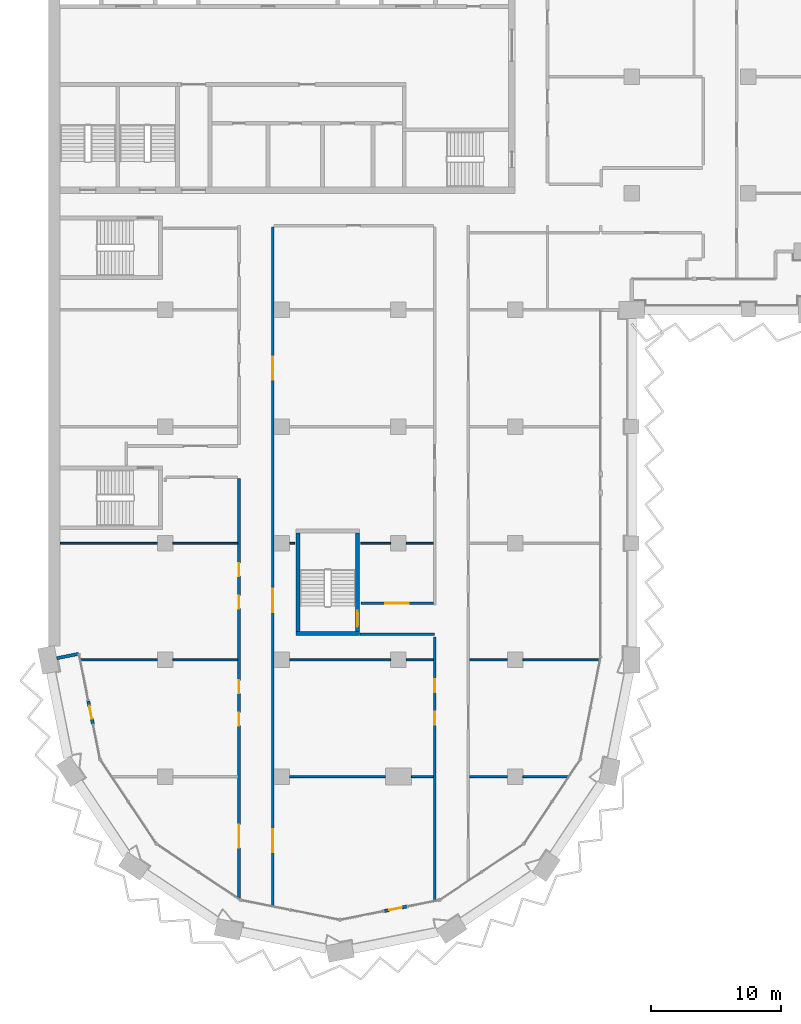
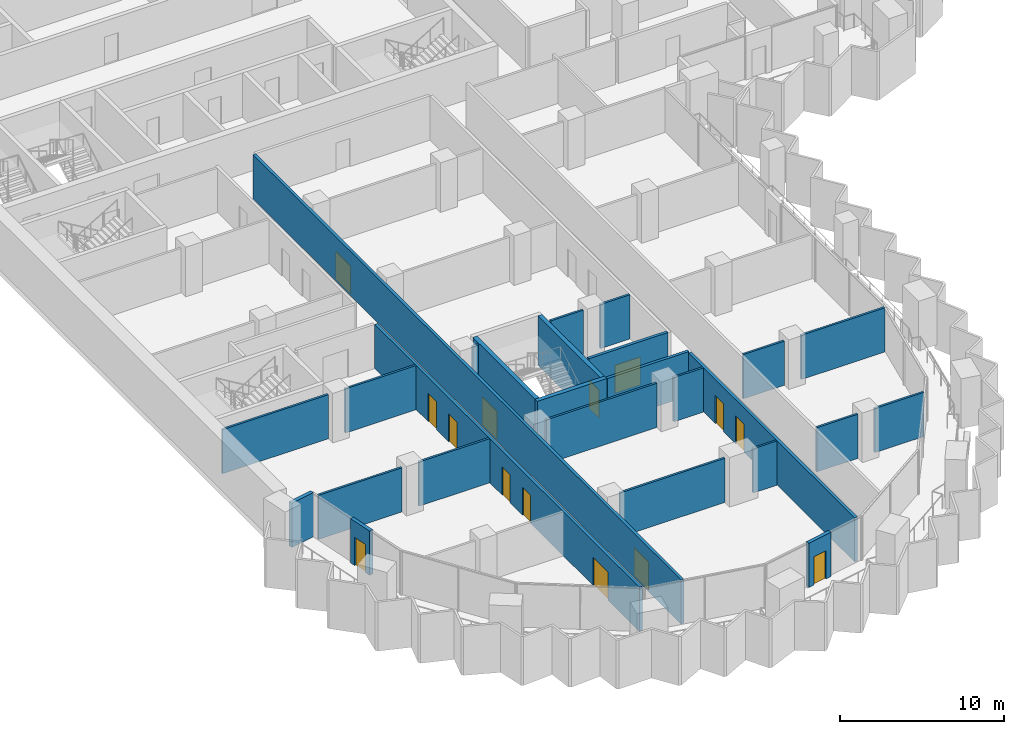
# One storey, part 8 of 22: 26 walls, 14 doors, 14 openings.
"""IFC4 building model written with IfcOpenShell, lengths in metres."""

from ifc_helpers import new_model, si_unit, direction, frame, frame_2d, origin, place, context, subcontext, project, spatial, rectangle, extrude, material, layer, layer_set, type_object, element, fill, save


model = new_model("IFC4")

# Units and contexts
model_context = context("Model", 3, precision=1e-05, world=origin(), true_north=direction((0.0, 1.0)))
body_context = subcontext(model_context, "Body", "Model", "MODEL_VIEW")
ifc_project = project(units=[si_unit("LENGTHUNIT", "METRE"), si_unit("AREAUNIT", "SQUARE_METRE"), si_unit("VOLUMEUNIT", "CUBIC_METRE"), si_unit("PLANEANGLEUNIT", "RADIAN"), si_unit("MASSUNIT", "GRAM", prefix="KILO")], contexts=[model_context])

# Site, building, storey
site_placement = place(None, origin())
site = spatial("IfcSite", under=ifc_project, at=site_placement, CompositionType="ELEMENT")
building_placement = place(site_placement, origin())
building = spatial("IfcBuilding", under=site, at=building_placement, Name="Hunhe Ridgeline Campus", CompositionType="ELEMENT")
storey_placement = place(building_placement, frame((0.0, 0.0, 156.0)))
storey = spatial("IfcBuildingStorey", under=building, at=storey_placement, Name="L39", CompositionType="ELEMENT", Elevation=156.0)

# Walls
ifc_material_1 = material(Name="Concrete C30", Category="concrete")
ifc_layer_1 = layer(ifc_material_1, 0.25)
ifc_layer_set_1 = layer_set([ifc_layer_1], Name="Corner return wall 250 Concrete C30")
wall_type_1 = type_object("IfcWallType", Name="Corner return wall 250 Concrete C30", PredefinedType="SOLIDWALL", material=ifc_layer_set_1)
wall_1_placement = place(storey_placement, frame((0.637451171875, 27.127685546875, 0.0), z_axis=(0.0, 0.0, 1.0), x_axis=(0.980842591884, 0.194801976239, 0.0)))
element("IfcWall", 1, at=wall_1_placement, inside=storey, type_object=wall_type_1, Name="Corner return wall 1", PredefinedType="SOLIDWALL", context=body_context, shape_type="SweptSolid", body=[
    extrude(rectangle(XDim=1.750732421875, YDim=0.25, at=frame_2d((0.87548828125, 0.0))), origin(), (0.0, 0.0, 1.0), 3.300048828125),
])
ifc_material_2 = material(Name="Gypsum board partition")
ifc_layer_2 = layer(ifc_material_2, 0.199951171875)
ifc_layer_set_2 = layer_set([ifc_layer_2], Name="Corridor partition 200 gypsum board on steel studs")
wall_type_2 = type_object("IfcWallType", Name="Corridor partition 200 gypsum board on steel studs", PredefinedType="PARTITIONING", material=ifc_layer_set_2)
wall_2_placement = place(storey_placement, frame((29.800048828125, 28.97509765625, 0.0), z_axis=(0.0, 0.0, 1.0), x_axis=(-1.0, 0.0, 0.0)))
element("IfcWall", 2, at=wall_2_placement, inside=storey, type_object=wall_type_2, Name="F-L39-wall-013", PredefinedType="PARTITIONING", context=body_context, shape_type="SweptSolid", body=[
    extrude(rectangle(XDim=5.77001953125, YDim=0.199951171875, at=frame_2d((2.885009765625, 0.0))), origin(), (0.0, 0.0, 1.0), 3.300048828125),
])

# Wall, opening, door
wall_3_placement = place(storey_placement, frame((24.10400390625, 31.375, 0.0), z_axis=(0.0, 0.0, 1.0), x_axis=(1.0, 0.0, 0.0)))
wall_3 = element("IfcWall", 3, at=wall_3_placement, inside=storey, type_object=wall_type_2, Name="F-L39-wall-014", PredefinedType="PARTITIONING", context=body_context, shape_type="SweptSolid", body=[
    extrude(rectangle(XDim=5.595947265625, YDim=0.199951171875, at=frame_2d((2.7978515625, 0.0))), origin(), (0.0, 0.0, 1.0), 3.300048828125),
])
opening_1_placement = place(wall_3_placement, frame((1.89794921875, 0.0, 0.0)))
opening_1 = element("IfcOpeningElement", 4, at=opening_1_placement, cuts=wall_3, Name="Opening RD2-009", PredefinedType="OPENING", context=body_context, shape_type="SweptSolid", body=[
    extrude(rectangle(XDim=1.800048828125, YDim=2.10009765625, at=frame_2d((0.89990234375, 1.050048828125))), frame((0.0, 0.10009765625, 0.0), z_axis=(0.0, -1.0, 0.0), x_axis=(1.0, 0.0, 0.0)), (0.0, 0.0, 1.0), 0.199951171875),
])
ifc_material_3 = material(Name="Timber door leaf", Category="wood")
door_type_1 = type_object("IfcDoorType", Name="Double fire door 1800x2100 timber FD60", OperationType="DOUBLE_DOOR_SINGLE_SWING", PredefinedType="DOOR", material=ifc_material_3)
door_1_placement = place(opening_1_placement, origin())
door_1 = element("IfcDoor", 5, at=door_1_placement, inside=storey, type_object=door_type_1, Name="F-L39-door-009", OperationType="DOUBLE_DOOR_SINGLE_SWING", OverallHeight=2.10009765625, OverallWidth=1.800048828125, PredefinedType="DOOR", context=body_context, shape_type="SweptSolid", body=[
    extrude(rectangle(XDim=1.800048828125, YDim=2.10009765625, at=frame_2d((0.89990234375, 1.050048828125))), frame((0.0, 0.02490234375, 0.0), z_axis=(0.0, -1.0, 0.0), x_axis=(1.0, 0.0, 0.0)), (0.0, 0.0, 1.0), 0.050048828125),
])
fill(opening_1, door_1)

# Wall, openings, doors
wall_4_placement = place(storey_placement, frame((14.699951171875, 8.623779296875, 0.0), z_axis=(0.0, 0.0, 1.0), x_axis=(0.0, 1.0, 0.0)))
wall_4 = element("IfcWall", 6, at=wall_4_placement, inside=storey, type_object=wall_type_2, Name="F-L39-wall-057", PredefinedType="PARTITIONING", context=body_context, shape_type="SweptSolid", body=[
    extrude(rectangle(XDim=32.376220703125, YDim=0.199951171875, at=frame_2d((16.18798828125, 0.0))), origin(), (0.0, 0.0, 1.0), 3.300048828125),
])
opening_2_placement = place(wall_4_placement, frame((3.86865234375, 0.0, 0.0)))
opening_2 = element("IfcOpeningElement", 7, at=opening_2_placement, cuts=wall_4, Name="Opening RD2-002", PredefinedType="OPENING", context=body_context, shape_type="SweptSolid", body=[
    extrude(rectangle(XDim=1.800048828125, YDim=2.10009765625, at=frame_2d((0.89990234375, 1.050048828125))), frame((0.0, 0.10009765625, 0.0), z_axis=(0.0, -1.0, 0.0), x_axis=(1.0, 0.0, 0.0)), (0.0, 0.0, 1.0), 0.199951171875),
])
opening_3_placement = place(wall_4_placement, frame((13.3037109375, 0.0, 0.0)))
opening_3 = element("IfcOpeningElement", 8, at=opening_3_placement, cuts=wall_4, Name="Opening RD1-004", PredefinedType="OPENING", context=body_context, shape_type="SweptSolid", body=[
    extrude(rectangle(XDim=1.0, YDim=2.10009765625, at=frame_2d((0.5, 1.050048828125))), frame((0.0, 0.10009765625, 0.0), z_axis=(0.0, -1.0, 0.0), x_axis=(1.0, 0.0, 0.0)), (0.0, 0.0, 1.0), 0.199951171875),
])
opening_4_placement = place(wall_4_placement, frame((15.8037109375, 0.0, 0.0)))
opening_4 = element("IfcOpeningElement", 9, at=opening_4_placement, cuts=wall_4, Name="Opening RD1-007", PredefinedType="OPENING", context=body_context, shape_type="SweptSolid", body=[
    extrude(rectangle(XDim=1.0, YDim=2.10009765625, at=frame_2d((0.5, 1.050048828125))), frame((0.0, 0.10009765625, 0.0), z_axis=(0.0, -1.0, 0.0), x_axis=(1.0, 0.0, 0.0)), (0.0, 0.0, 1.0), 0.199951171875),
])
opening_5_placement = place(wall_4_placement, frame((22.339111328125, 0.0, 0.0)))
opening_5 = element("IfcOpeningElement", 10, at=opening_5_placement, cuts=wall_4, Name="Opening RD1-010", PredefinedType="OPENING", context=body_context, shape_type="SweptSolid", body=[
    extrude(rectangle(XDim=1.0, YDim=2.10009765625, at=frame_2d((0.5, 1.050048828125))), frame((0.0, 0.10009765625, 0.0), z_axis=(0.0, -1.0, 0.0), x_axis=(1.0, 0.0, 0.0)), (0.0, 0.0, 1.0), 0.199951171875),
])
opening_6_placement = place(wall_4_placement, frame((24.839111328125, 0.0, 0.0)))
opening_6 = element("IfcOpeningElement", 11, at=opening_6_placement, cuts=wall_4, Name="Opening RD1-013", PredefinedType="OPENING", context=body_context, shape_type="SweptSolid", body=[
    extrude(rectangle(XDim=1.0, YDim=2.10009765625, at=frame_2d((0.5, 1.050048828125))), frame((0.0, 0.10009765625, 0.0), z_axis=(0.0, -1.0, 0.0), x_axis=(1.0, 0.0, 0.0)), (0.0, 0.0, 1.0), 0.199951171875),
])
door_2_placement = place(opening_2_placement, origin())
door_2 = element("IfcDoor", 12, at=door_2_placement, inside=storey, type_object=door_type_1, Name="F-L39-door-002", OperationType="DOUBLE_DOOR_SINGLE_SWING", OverallHeight=2.10009765625, OverallWidth=1.800048828125, PredefinedType="DOOR", context=body_context, shape_type="SweptSolid", body=[
    extrude(rectangle(XDim=1.800048828125, YDim=2.10009765625, at=frame_2d((0.89990234375, 1.050048828125))), frame((0.0, 0.02490234375, 0.0), z_axis=(0.0, -1.0, 0.0), x_axis=(1.0, 0.0, 0.0)), (0.0, 0.0, 1.0), 0.050048828125),
])
fill(opening_2, door_2)
door_type_2 = type_object("IfcDoorType", Name="Single fire door 1000x2100 timber FD60", OperationType="NOTDEFINED", PredefinedType="DOOR", material=ifc_material_3)
door_3_placement = place(opening_3_placement, frame((1.0, 0.0, 0.0), z_axis=(0.0, 0.0, 1.0), x_axis=(-1.0, 0.0, 0.0)))
door_3 = element("IfcDoor", 13, at=door_3_placement, inside=storey, type_object=door_type_2, Name="F-L39-door-004", OperationType="SINGLE_SWING_LEFT", OverallHeight=2.10009765625, OverallWidth=1.0, PredefinedType="DOOR", context=body_context, shape_type="SweptSolid", body=[
    extrude(rectangle(XDim=1.0, YDim=2.10009765625, at=frame_2d((0.5, 1.050048828125))), frame((0.0, 0.02490234375, 0.0), z_axis=(0.0, -1.0, 0.0), x_axis=(1.0, 0.0, 0.0)), (0.0, 0.0, 1.0), 0.050048828125),
])
fill(opening_3, door_3)
door_4_placement = place(opening_4_placement, frame((1.0, 0.0, 0.0), z_axis=(0.0, 0.0, 1.0), x_axis=(-1.0, 0.0, 0.0)))
door_4 = element("IfcDoor", 14, at=door_4_placement, inside=storey, type_object=door_type_2, Name="F-L39-door-007", OperationType="SINGLE_SWING_LEFT", OverallHeight=2.10009765625, OverallWidth=1.0, PredefinedType="DOOR", context=body_context, shape_type="SweptSolid", body=[
    extrude(rectangle(XDim=1.0, YDim=2.10009765625, at=frame_2d((0.5, 1.050048828125))), frame((0.0, 0.02490234375, 0.0), z_axis=(0.0, -1.0, 0.0), x_axis=(1.0, 0.0, 0.0)), (0.0, 0.0, 1.0), 0.050048828125),
])
fill(opening_4, door_4)
door_5_placement = place(opening_5_placement, frame((1.0, 0.0, 0.0), z_axis=(0.0, 0.0, 1.0), x_axis=(-1.0, 0.0, 0.0)))
door_5 = element("IfcDoor", 15, at=door_5_placement, inside=storey, type_object=door_type_2, Name="F-L39-door-010", OperationType="SINGLE_SWING_LEFT", OverallHeight=2.10009765625, OverallWidth=1.0, PredefinedType="DOOR", context=body_context, shape_type="SweptSolid", body=[
    extrude(rectangle(XDim=1.0, YDim=2.10009765625, at=frame_2d((0.5, 1.050048828125))), frame((0.0, 0.02490234375, 0.0), z_axis=(0.0, -1.0, 0.0), x_axis=(1.0, 0.0, 0.0)), (0.0, 0.0, 1.0), 0.050048828125),
])
fill(opening_5, door_5)
door_6_placement = place(opening_6_placement, frame((1.0, 0.0, 0.0), z_axis=(0.0, 0.0, 1.0), x_axis=(-1.0, 0.0, 0.0)))
door_6 = element("IfcDoor", 16, at=door_6_placement, inside=storey, type_object=door_type_2, Name="F-L39-door-013", OperationType="SINGLE_SWING_LEFT", OverallHeight=2.10009765625, OverallWidth=1.0, PredefinedType="DOOR", context=body_context, shape_type="SweptSolid", body=[
    extrude(rectangle(XDim=1.0, YDim=2.10009765625, at=frame_2d((0.5, 1.050048828125))), frame((0.0, 0.02490234375, 0.0), z_axis=(0.0, -1.0, 0.0), x_axis=(1.0, 0.0, 0.0)), (0.0, 0.0, 1.0), 0.050048828125),
])
fill(opening_6, door_6)

wall_5_placement = place(storey_placement, frame((17.300048828125, 60.39990234375, 0.0), z_axis=(0.0, 0.0, 1.0), x_axis=(0.0, -1.0, 0.0)))
wall_5 = element("IfcWall", 17, at=wall_5_placement, inside=storey, type_object=wall_type_2, Name="F-L39-wall-059", PredefinedType="PARTITIONING", context=body_context, shape_type="SweptSolid", body=[
    extrude(rectangle(XDim=52.362548828125, YDim=0.199951171875, at=frame_2d((26.18115234375, 0.0))), origin(), (0.0, 0.0, 1.0), 3.300048828125),
])
opening_7_placement = place(wall_5_placement, frame((46.451904296875, 0.0, 0.0)))
opening_7 = element("IfcOpeningElement", 18, at=opening_7_placement, cuts=wall_5, Name="Opening RD2-001", PredefinedType="OPENING", context=body_context, shape_type="SweptSolid", body=[
    extrude(rectangle(XDim=1.800048828125, YDim=2.10009765625, at=frame_2d((0.89990234375, 1.050048828125))), frame((0.0, 0.10009765625, 0.0), z_axis=(0.0, -1.0, 0.0), x_axis=(1.0, 0.0, 0.0)), (0.0, 0.0, 1.0), 0.199951171875),
])
opening_8_placement = place(wall_5_placement, frame((27.911865234375, 0.0, 0.0)))
opening_8 = element("IfcOpeningElement", 19, at=opening_8_placement, cuts=wall_5, Name="Opening RD2-011", PredefinedType="OPENING", context=body_context, shape_type="SweptSolid", body=[
    extrude(rectangle(XDim=1.800048828125, YDim=2.10009765625, at=frame_2d((0.89990234375, 1.050048828125))), frame((0.0, 0.10009765625, 0.0), z_axis=(0.0, -1.0, 0.0), x_axis=(1.0, 0.0, 0.0)), (0.0, 0.0, 1.0), 0.199951171875),
])
opening_9_placement = place(wall_5_placement, frame((9.998291015625, 0.0, 0.0)))
opening_9 = element("IfcOpeningElement", 20, at=opening_9_placement, cuts=wall_5, Name="Opening RD2-021", PredefinedType="OPENING", context=body_context, shape_type="SweptSolid", body=[
    extrude(rectangle(XDim=1.800048828125, YDim=2.10009765625, at=frame_2d((0.89990234375, 1.050048828125))), frame((0.0, 0.10009765625, 0.0), z_axis=(0.0, -1.0, 0.0), x_axis=(1.0, 0.0, 0.0)), (0.0, 0.0, 1.0), 0.199951171875),
])
door_7_placement = place(opening_7_placement, origin())
door_7 = element("IfcDoor", 21, at=door_7_placement, inside=storey, type_object=door_type_1, Name="F-L39-door-001", OperationType="DOUBLE_DOOR_SINGLE_SWING", OverallHeight=2.10009765625, OverallWidth=1.800048828125, PredefinedType="DOOR", context=body_context, shape_type="SweptSolid", body=[
    extrude(rectangle(XDim=1.800048828125, YDim=2.10009765625, at=frame_2d((0.89990234375, 1.050048828125))), frame((0.0, 0.02490234375, 0.0), z_axis=(0.0, -1.0, 0.0), x_axis=(1.0, 0.0, 0.0)), (0.0, 0.0, 1.0), 0.050048828125),
])
fill(opening_7, door_7)
door_8_placement = place(opening_8_placement, origin())
door_8 = element("IfcDoor", 22, at=door_8_placement, inside=storey, type_object=door_type_1, Name="F-L39-door-011", OperationType="DOUBLE_DOOR_SINGLE_SWING", OverallHeight=2.10009765625, OverallWidth=1.800048828125, PredefinedType="DOOR", context=body_context, shape_type="SweptSolid", body=[
    extrude(rectangle(XDim=1.800048828125, YDim=2.10009765625, at=frame_2d((0.89990234375, 1.050048828125))), frame((0.0, 0.02490234375, 0.0), z_axis=(0.0, -1.0, 0.0), x_axis=(1.0, 0.0, 0.0)), (0.0, 0.0, 1.0), 0.050048828125),
])
fill(opening_8, door_8)
door_9_placement = place(opening_9_placement, origin())
door_9 = element("IfcDoor", 23, at=door_9_placement, inside=storey, type_object=door_type_1, Name="F-L39-door-021", OperationType="DOUBLE_DOOR_SINGLE_SWING", OverallHeight=2.10009765625, OverallWidth=1.800048828125, PredefinedType="DOOR", context=body_context, shape_type="SweptSolid", body=[
    extrude(rectangle(XDim=1.800048828125, YDim=2.10009765625, at=frame_2d((0.89990234375, 1.050048828125))), frame((0.0, 0.02490234375, 0.0), z_axis=(0.0, -1.0, 0.0), x_axis=(1.0, 0.0, 0.0)), (0.0, 0.0, 1.0), 0.050048828125),
])
fill(opening_9, door_9)

wall_6_placement = place(storey_placement, frame((29.800048828125, 8.455078125, 0.0), z_axis=(0.0, 0.0, 1.0), x_axis=(0.0, 1.0, 0.0)))
wall_6 = element("IfcWall", 24, at=wall_6_placement, inside=storey, type_object=wall_type_2, Name="F-L39-wall-060", PredefinedType="PARTITIONING", context=body_context, shape_type="SweptSolid", body=[
    extrude(rectangle(XDim=20.322265625, YDim=0.199951171875, at=frame_2d((10.1611328125, 0.0))), origin(), (0.0, 0.0, 1.0), 3.300048828125),
])
opening_10_placement = place(wall_6_placement, frame((13.550048828125, 0.0, 0.0)))
opening_10 = element("IfcOpeningElement", 25, at=opening_10_placement, cuts=wall_6, Name="Opening RD1-005", PredefinedType="OPENING", context=body_context, shape_type="SweptSolid", body=[
    extrude(rectangle(XDim=1.0, YDim=2.10009765625, at=frame_2d((0.5, 1.050048828125))), frame((0.0, 0.10009765625, 0.0), z_axis=(0.0, -1.0, 0.0), x_axis=(1.0, 0.0, 0.0)), (0.0, 0.0, 1.0), 0.199951171875),
])
opening_11_placement = place(wall_6_placement, frame((16.050048828125, 0.0, 0.0)))
opening_11 = element("IfcOpeningElement", 26, at=opening_11_placement, cuts=wall_6, Name="Opening RD1-008", PredefinedType="OPENING", context=body_context, shape_type="SweptSolid", body=[
    extrude(rectangle(XDim=1.0, YDim=2.10009765625, at=frame_2d((0.5, 1.050048828125))), frame((0.0, 0.10009765625, 0.0), z_axis=(0.0, -1.0, 0.0), x_axis=(1.0, 0.0, 0.0)), (0.0, 0.0, 1.0), 0.199951171875),
])
door_10_placement = place(opening_10_placement, frame((1.0, 0.0, 0.0), z_axis=(0.0, 0.0, 1.0), x_axis=(-1.0, 0.0, 0.0)))
door_10 = element("IfcDoor", 27, at=door_10_placement, inside=storey, type_object=door_type_2, Name="F-L39-door-005", OperationType="SINGLE_SWING_LEFT", OverallHeight=2.10009765625, OverallWidth=1.0, PredefinedType="DOOR", context=body_context, shape_type="SweptSolid", body=[
    extrude(rectangle(XDim=1.0, YDim=2.10009765625, at=frame_2d((0.5, 1.050048828125))), frame((0.0, 0.02490234375, 0.0), z_axis=(0.0, -1.0, 0.0), x_axis=(1.0, 0.0, 0.0)), (0.0, 0.0, 1.0), 0.050048828125),
])
fill(opening_10, door_10)
door_11_placement = place(opening_11_placement, frame((1.0, 0.0, 0.0), z_axis=(0.0, 0.0, 1.0), x_axis=(-1.0, 0.0, 0.0)))
door_11 = element("IfcDoor", 28, at=door_11_placement, inside=storey, type_object=door_type_2, Name="F-L39-door-008", OperationType="SINGLE_SWING_LEFT", OverallHeight=2.10009765625, OverallWidth=1.0, PredefinedType="DOOR", context=body_context, shape_type="SweptSolid", body=[
    extrude(rectangle(XDim=1.0, YDim=2.10009765625, at=frame_2d((0.5, 1.050048828125))), frame((0.0, 0.02490234375, 0.0), z_axis=(0.0, -1.0, 0.0), x_axis=(1.0, 0.0, 0.0)), (0.0, 0.0, 1.0), 0.050048828125),
])
fill(opening_11, door_11)

# Wall, opening, door
ifc_layer_3 = layer(ifc_material_1, 0.25)
ifc_layer_set_3 = layer_set([ifc_layer_3], Name="Loggia door pier wall 250 Concrete C30")
wall_type_3 = type_object("IfcWallType", Name="Loggia door pier wall 250 Concrete C30", PredefinedType="SOLIDWALL", material=ifc_layer_set_3)
wall_7_placement = place(storey_placement, frame((3.076904296875, 23.8388671875, 0.0), z_axis=(0.0, 0.0, 1.0), x_axis=(0.195046569833, -0.980793982239, 0.0)))
wall_7 = element("IfcWall", 29, at=wall_7_placement, inside=storey, type_object=wall_type_3, Name="Loggia door pier 1", PredefinedType="SOLIDWALL", context=body_context, shape_type="SweptSolid", body=[
    extrude(rectangle(XDim=1.800048828125, YDim=0.25, at=frame_2d((0.89990234375, 0.0))), origin(), (0.0, 0.0, 1.0), 3.300048828125),
])
opening_12_placement = place(wall_7_placement, frame((0.39990234375, 0.0, 0.0)))
opening_12 = element("IfcOpeningElement", 30, at=opening_12_placement, cuts=wall_7, Name="Opening BD301", PredefinedType="OPENING", context=body_context, shape_type="SweptSolid", body=[
    extrude(rectangle(XDim=1.0, YDim=2.10009765625, at=frame_2d((0.5, 1.050048828125))), frame((0.0, 0.125, 0.0), z_axis=(0.0, -1.0, 0.0), x_axis=(1.0, 0.0, 0.0)), (0.0, 0.0, 1.0), 0.25),
])
ifc_material_4 = material(Name="Aluminium 6063", Category="aluminium")
door_type_3 = type_object("IfcDoorType", Name="Loggia glazed door 1000x2100", OperationType="NOTDEFINED", PredefinedType="DOOR", material=ifc_material_4)
door_12_placement = place(opening_12_placement, frame((1.0, 0.0, 0.0), z_axis=(0.0, 0.0, 1.0), x_axis=(-1.0, 0.0, 0.0)))
door_12 = element("IfcDoor", 31, at=door_12_placement, inside=storey, type_object=door_type_3, Name="Loggia door BD301", OperationType="SINGLE_SWING_RIGHT", OverallHeight=2.10009765625, OverallWidth=1.0, PredefinedType="DOOR", context=body_context, shape_type="SweptSolid", body=[
    extrude(rectangle(XDim=1.0, YDim=2.10009765625, at=frame_2d((0.5, 1.050048828125))), frame((0.0, 0.02490234375, 0.0), z_axis=(0.0, -1.0, 0.0), x_axis=(1.0, 0.0, 0.0)), (0.0, 0.0, 1.0), 0.050048828125),
])
fill(opening_12, door_12)

wall_8_placement = place(storey_placement, frame((25.8955078125, 7.62353515625, 0.0), z_axis=(0.0, 0.0, 1.0), x_axis=(0.980793982239, 0.195046569833, 0.0)))
wall_8 = element("IfcWall", 32, at=wall_8_placement, inside=storey, type_object=wall_type_3, Name="Loggia door pier 2", PredefinedType="SOLIDWALL", context=body_context, shape_type="SweptSolid", body=[
    extrude(rectangle(XDim=1.800048828125, YDim=0.25, at=frame_2d((0.89990234375, 0.0))), origin(), (0.0, 0.0, 1.0), 3.300048828125),
])
opening_13_placement = place(wall_8_placement, frame((0.39990234375, 0.0, 0.0)))
opening_13 = element("IfcOpeningElement", 33, at=opening_13_placement, cuts=wall_8, Name="Opening BD303", PredefinedType="OPENING", context=body_context, shape_type="SweptSolid", body=[
    extrude(rectangle(XDim=1.0, YDim=2.10009765625, at=frame_2d((0.5, 1.050048828125))), frame((0.0, 0.125, 0.0), z_axis=(0.0, -1.0, 0.0), x_axis=(1.0, 0.0, 0.0)), (0.0, 0.0, 1.0), 0.25),
])
door_13_placement = place(opening_13_placement, frame((1.0, 0.0, 0.0), z_axis=(0.0, 0.0, 1.0), x_axis=(-1.0, 0.0, 0.0)))
door_13 = element("IfcDoor", 34, at=door_13_placement, inside=storey, type_object=door_type_3, Name="Loggia door BD303", OperationType="SINGLE_SWING_RIGHT", OverallHeight=2.10009765625, OverallWidth=1.0, PredefinedType="DOOR", context=body_context, shape_type="SweptSolid", body=[
    extrude(rectangle(XDim=1.0, YDim=2.10009765625, at=frame_2d((0.5, 1.050048828125))), frame((0.0, 0.02490234375, 0.0), z_axis=(0.0, -1.0, 0.0), x_axis=(1.0, 0.0, 0.0)), (0.0, 0.0, 1.0), 0.050048828125),
])
fill(opening_13, door_13)

# Walls
ifc_layer_4 = layer(ifc_material_2, 0.14990234375)
ifc_layer_set_4 = layer_set([ifc_layer_4], Name="Room partition 150 gypsum board on steel studs")
wall_type_4 = type_object("IfcWallType", Name="Room partition 150 gypsum board on steel studs", PredefinedType="PARTITIONING", material=ifc_layer_set_4)
wall_9_placement = place(storey_placement, frame((18.60009765625, 18.0, 0.0), z_axis=(0.0, 0.0, 1.0), x_axis=(1.0, 0.0, 0.0)))
element("IfcWall", 35, at=wall_9_placement, inside=storey, type_object=wall_type_4, Name="F-L39-wall-003", PredefinedType="PARTITIONING", context=body_context, shape_type="SweptSolid", body=[
    extrude(rectangle(XDim=7.39990234375, YDim=0.14990234375, at=frame_2d((3.699951171875, 0.0))), origin(), (0.0, 0.0, 1.0), 3.300048828125),
])
wall_10_placement = place(storey_placement, frame((28.0, 18.0, 0.0), z_axis=(0.0, 0.0, 1.0), x_axis=(1.0, 0.0, 0.0)))
element("IfcWall", 36, at=wall_10_placement, inside=storey, type_object=wall_type_4, Name="F-L39-wall-004", PredefinedType="PARTITIONING", context=body_context, shape_type="SweptSolid", body=[
    extrude(rectangle(XDim=1.699951171875, YDim=0.14990234375, at=frame_2d((0.85009765625, 0.0))), origin(), (0.0, 0.0, 1.0), 3.300048828125),
])
wall_11_placement = place(storey_placement, frame((32.5, 18.0, 0.0), z_axis=(0.0, 0.0, 1.0), x_axis=(1.0, 0.0, 0.0)))
element("IfcWall", 37, at=wall_11_placement, inside=storey, type_object=wall_type_4, Name="F-L39-wall-005", PredefinedType="PARTITIONING", context=body_context, shape_type="SweptSolid", body=[
    extrude(rectangle(XDim=2.89990234375, YDim=0.14990234375, at=frame_2d((1.449951171875, 0.0))), origin(), (0.0, 0.0, 1.0), 3.300048828125),
])
wall_12_placement = place(storey_placement, frame((36.60009765625, 18.0, 0.0), z_axis=(0.0, 0.0, 1.0), x_axis=(1.0, 0.0, 0.0)))
element("IfcWall", 38, at=wall_12_placement, inside=storey, type_object=wall_type_4, Name="F-L39-wall-006", PredefinedType="PARTITIONING", context=body_context, shape_type="SweptSolid", body=[
    extrude(rectangle(XDim=3.474365234375, YDim=0.14990234375, at=frame_2d((1.7373046875, 0.0))), origin(), (0.0, 0.0, 1.0), 3.300048828125),
])
wall_13_placement = place(storey_placement, frame((2.503173828125, 27.0, 0.0), z_axis=(0.0, 0.0, 1.0), x_axis=(1.0, 0.0, 0.0)))
element("IfcWall", 39, at=wall_13_placement, inside=storey, type_object=wall_type_4, Name="F-L39-wall-007", PredefinedType="PARTITIONING", context=body_context, shape_type="SweptSolid", body=[
    extrude(rectangle(XDim=5.896728515625, YDim=0.14990234375, at=frame_2d((2.9482421875, 0.0))), origin(), (0.0, 0.0, 1.0), 3.300048828125),
])
wall_14_placement = place(storey_placement, frame((9.60009765625, 27.0, 0.0), z_axis=(0.0, 0.0, 1.0), x_axis=(1.0, 0.0, 0.0)))
element("IfcWall", 40, at=wall_14_placement, inside=storey, type_object=wall_type_4, Name="F-L39-wall-008", PredefinedType="PARTITIONING", context=body_context, shape_type="SweptSolid", body=[
    extrude(rectangle(XDim=5.0, YDim=0.14990234375, at=frame_2d((2.5, 0.0))), origin(), (0.0, 0.0, 1.0), 3.300048828125),
])
wall_15_placement = place(storey_placement, frame((18.60009765625, 27.0, 0.0), z_axis=(0.0, 0.0, 1.0), x_axis=(1.0, 0.0, 0.0)))
element("IfcWall", 41, at=wall_15_placement, inside=storey, type_object=wall_type_4, Name="F-L39-wall-009", PredefinedType="PARTITIONING", context=body_context, shape_type="SweptSolid", body=[
    extrude(rectangle(XDim=7.7998046875, YDim=0.14990234375, at=frame_2d((3.89990234375, 0.0))), origin(), (0.0, 0.0, 1.0), 3.300048828125),
])
wall_16_placement = place(storey_placement, frame((27.60009765625, 27.0, 0.0), z_axis=(0.0, 0.0, 1.0), x_axis=(1.0, 0.0, 0.0)))
element("IfcWall", 42, at=wall_16_placement, inside=storey, type_object=wall_type_4, Name="F-L39-wall-010", PredefinedType="PARTITIONING", context=body_context, shape_type="SweptSolid", body=[
    extrude(rectangle(XDim=2.099853515625, YDim=0.14990234375, at=frame_2d((1.0498046875, 0.0))), origin(), (0.0, 0.0, 1.0), 3.300048828125),
])
wall_17_placement = place(storey_placement, frame((32.5, 27.0, 0.0), z_axis=(0.0, 0.0, 1.0), x_axis=(1.0, 0.0, 0.0)))
element("IfcWall", 43, at=wall_17_placement, inside=storey, type_object=wall_type_4, Name="F-L39-wall-011", PredefinedType="PARTITIONING", context=body_context, shape_type="SweptSolid", body=[
    extrude(rectangle(XDim=2.89990234375, YDim=0.14990234375, at=frame_2d((1.449951171875, 0.0))), origin(), (0.0, 0.0, 1.0), 3.300048828125),
])
wall_18_placement = place(storey_placement, frame((36.60009765625, 27.0, 0.0), z_axis=(0.0, 0.0, 1.0), x_axis=(1.0, 0.0, 0.0)))
element("IfcWall", 44, at=wall_18_placement, inside=storey, type_object=wall_type_4, Name="F-L39-wall-012", PredefinedType="PARTITIONING", context=body_context, shape_type="SweptSolid", body=[
    extrude(rectangle(XDim=5.896728515625, YDim=0.14990234375, at=frame_2d((2.9482421875, 0.0))), origin(), (0.0, 0.0, 1.0), 3.300048828125),
])
wall_19_placement = place(storey_placement, frame((0.919921875, 36.0, 0.0), z_axis=(0.0, 0.0, 1.0), x_axis=(1.0, 0.0, 0.0)))
element("IfcWall", 45, at=wall_19_placement, inside=storey, type_object=wall_type_4, Name="F-L39-wall-015", PredefinedType="PARTITIONING", context=body_context, shape_type="SweptSolid", body=[
    extrude(rectangle(XDim=7.47998046875, YDim=0.14990234375, at=frame_2d((3.739990234375, 0.0))), origin(), (0.0, 0.0, 1.0), 3.300048828125),
])
wall_20_placement = place(storey_placement, frame((9.60009765625, 36.0, 0.0), z_axis=(0.0, 0.0, 1.0), x_axis=(1.0, 0.0, 0.0)))
element("IfcWall", 46, at=wall_20_placement, inside=storey, type_object=wall_type_4, Name="F-L39-wall-016", PredefinedType="PARTITIONING", context=body_context, shape_type="SweptSolid", body=[
    extrude(rectangle(XDim=5.0, YDim=0.14990234375, at=frame_2d((2.5, 0.0))), origin(), (0.0, 0.0, 1.0), 3.300048828125),
])
wall_21_placement = place(storey_placement, frame((18.60009765625, 36.0, 0.0), z_axis=(0.0, 0.0, 1.0), x_axis=(1.0, 0.0, 0.0)))
element("IfcWall", 47, at=wall_21_placement, inside=storey, type_object=wall_type_4, Name="F-L39-wall-017", PredefinedType="PARTITIONING", context=body_context, shape_type="SweptSolid", body=[
    extrude(rectangle(XDim=0.39599609375, YDim=0.14990234375, at=frame_2d((0.197998046875, 0.0))), origin(), (0.0, 0.0, 1.0), 3.300048828125),
])
wall_22_placement = place(storey_placement, frame((24.10400390625, 36.0, 0.0), z_axis=(0.0, 0.0, 1.0), x_axis=(1.0, 0.0, 0.0)))
element("IfcWall", 48, at=wall_22_placement, inside=storey, type_object=wall_type_4, Name="F-L39-wall-018", PredefinedType="PARTITIONING", context=body_context, shape_type="SweptSolid", body=[
    extrude(rectangle(XDim=2.2958984375, YDim=0.14990234375, at=frame_2d((1.14794921875, 0.0))), origin(), (0.0, 0.0, 1.0), 3.300048828125),
])
wall_23_placement = place(storey_placement, frame((27.60009765625, 36.0, 0.0), z_axis=(0.0, 0.0, 1.0), x_axis=(1.0, 0.0, 0.0)))
element("IfcWall", 49, at=wall_23_placement, inside=storey, type_object=wall_type_4, Name="F-L39-wall-019", PredefinedType="PARTITIONING", context=body_context, shape_type="SweptSolid", body=[
    extrude(rectangle(XDim=2.099853515625, YDim=0.14990234375, at=frame_2d((1.0498046875, 0.0))), origin(), (0.0, 0.0, 1.0), 3.300048828125),
])
ifc_material_5 = material(Name="Concrete C70", Category="concrete")
ifc_layer_5 = layer(ifc_material_5, 0.300048828125)
ifc_layer_set_5 = layer_set([ifc_layer_5], Name="Stair wall 300 reinforced concrete C70")
wall_type_5 = type_object("IfcWallType", Name="Stair wall 300 reinforced concrete C70", PredefinedType="SOLIDWALL", material=ifc_layer_set_5)
wall_24_placement = place(storey_placement, frame((19.10009765625, 29.050048828125, -0.39990234375), z_axis=(0.0, 0.0, 1.0), x_axis=(1.0, 0.0, 0.0)))
element("IfcWall", 50, at=wall_24_placement, inside=storey, type_object=wall_type_5, Name="L39 core wall 1", PredefinedType="SOLIDWALL", context=body_context, shape_type="SweptSolid", body=[
    extrude(rectangle(XDim=4.89990234375, YDim=0.300048828125, at=frame_2d((2.449951171875, 0.0))), origin(), (0.0, 0.0, 1.0), 3.699951171875),
])
wall_25_placement = place(storey_placement, frame((19.25, 29.199951171875, -0.39990234375), z_axis=(0.0, 0.0, 1.0), x_axis=(0.0, 1.0, 0.0)))
element("IfcWall", 51, at=wall_25_placement, inside=storey, type_object=wall_type_5, Name="L39 core wall 45", PredefinedType="SOLIDWALL", context=body_context, shape_type="SweptSolid", body=[
    extrude(rectangle(XDim=7.60009765625, YDim=0.300048828125, at=frame_2d((3.800048828125, 0.0))), origin(), (0.0, 0.0, 1.0), 3.699951171875),
])

# Wall, opening, door
wall_26_placement = place(storey_placement, frame((23.85009765625, 29.199951171875, -0.39990234375), z_axis=(0.0, 0.0, 1.0), x_axis=(0.0, 1.0, 0.0)))
wall_26 = element("IfcWall", 52, at=wall_26_placement, inside=storey, type_object=wall_type_5, Name="L39 core wall 50", PredefinedType="SOLIDWALL", context=body_context, shape_type="SweptSolid", body=[
    extrude(rectangle(XDim=7.60009765625, YDim=0.300048828125, at=frame_2d((3.800048828125, 0.0))), origin(), (0.0, 0.0, 1.0), 3.699951171875),
])
opening_14_placement = place(wall_26_placement, frame((0.375, 0.0, 0.39990234375)))
opening_14 = element("IfcOpeningElement", 53, at=opening_14_placement, cuts=wall_26, Name="Opening CD23", PredefinedType="OPENING", context=body_context, shape_type="SweptSolid", body=[
    extrude(rectangle(XDim=1.199951171875, YDim=2.10009765625, at=frame_2d((0.60009765625, 1.050048828125))), frame((0.0, 0.14990234375, 0.0), z_axis=(0.0, -1.0, 0.0), x_axis=(1.0, 0.0, 0.0)), (0.0, 0.0, 1.0), 0.300048828125),
])
ifc_material_6 = material(Name="Hollow metal fire door leaf")
door_type_4 = type_object("IfcDoorType", Name="Stair door 1200x2100 FD60", OperationType="SINGLE_SWING_LEFT", PredefinedType="DOOR", material=ifc_material_6)
door_14_placement = place(opening_14_placement, frame((1.199951171875, 0.0, 0.0), z_axis=(0.0, 0.0, 1.0), x_axis=(-1.0, 0.0, 0.0)))
door_14 = element("IfcDoor", 54, at=door_14_placement, inside=storey, type_object=door_type_4, Name="L39 door W3", OperationType="SINGLE_SWING_RIGHT", OverallHeight=2.10009765625, OverallWidth=1.199951171875, PredefinedType="DOOR", context=body_context, shape_type="SweptSolid", body=[
    extrude(rectangle(XDim=1.199951171875, YDim=2.10009765625, at=frame_2d((0.60009765625, 1.050048828125))), frame((0.0, 0.02490234375, 0.0), z_axis=(0.0, -1.0, 0.0), x_axis=(1.0, 0.0, 0.0)), (0.0, 0.0, 1.0), 0.050048828125),
])
fill(opening_14, door_14)

save(model, "model.ifc")
